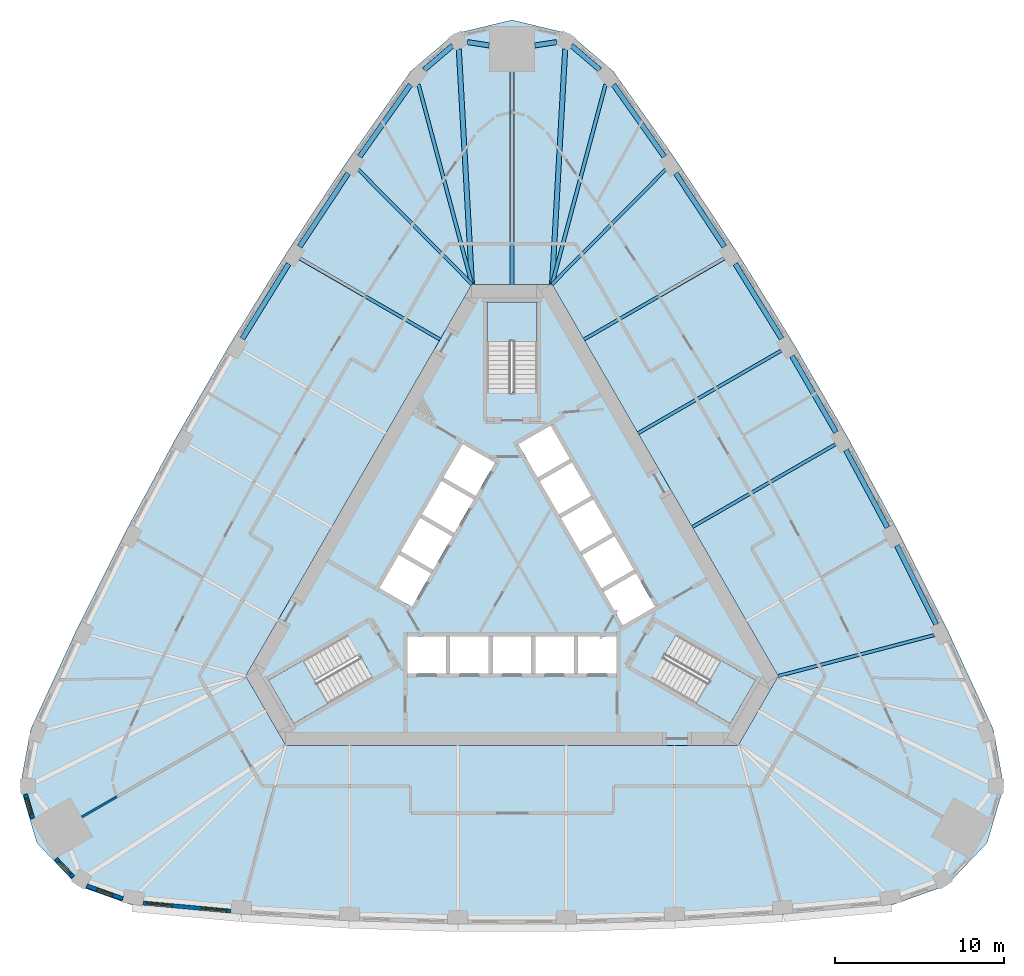
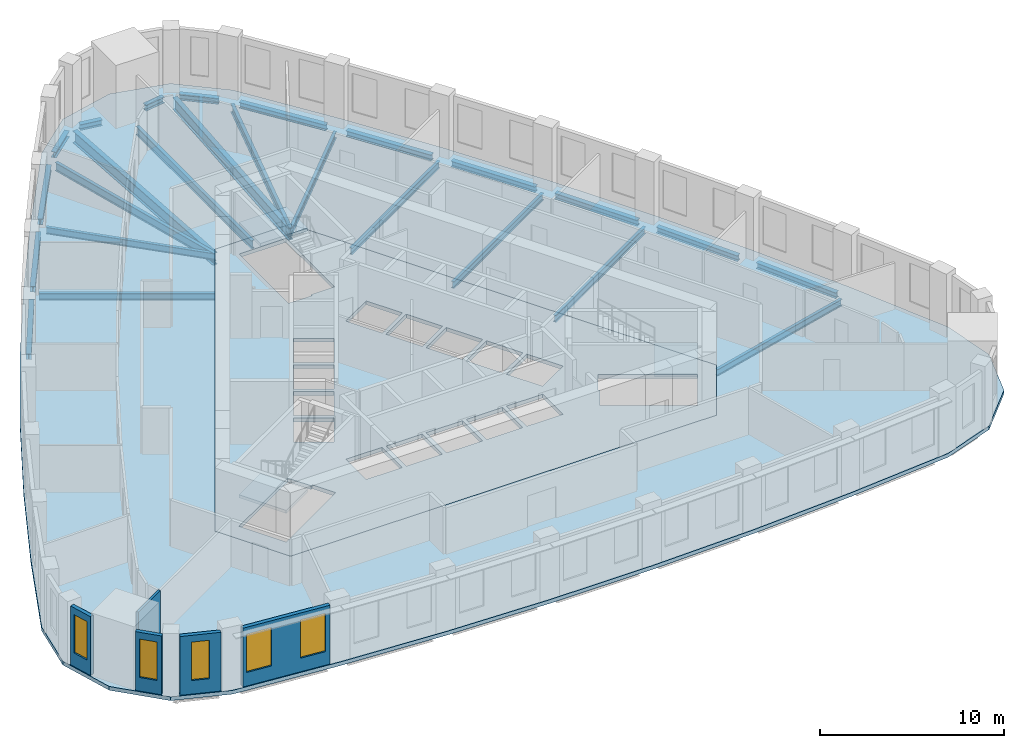
# One storey, part 2 of 10: 25 beams, 5 slabs, 5 walls, 5 windows, 5 openings, 3 elements without a shape of their own.
"""IFC4 building model written with IfcOpenShell, lengths in metres."""

from ifc_helpers import new_model, si_unit, direction, frame, frame_2d, origin, origin_2d, place, context, subcontext, project, spatial, polyline, rectangle, i_section, outline, extrude, material, layer, layer_set, material_profile, profile_set, type_object, element, fill, aggregate, save


model = new_model("IFC4")

# Units and contexts
model_context = context("Model", 3, precision=1e-05, world=origin(), true_north=direction((0.0, 1.0)))
body_context = subcontext(model_context, "Body", "Model", "MODEL_VIEW")
ifc_project = project(units=[si_unit("LENGTHUNIT", "METRE"), si_unit("AREAUNIT", "SQUARE_METRE"), si_unit("VOLUMEUNIT", "CUBIC_METRE"), si_unit("PLANEANGLEUNIT", "RADIAN"), si_unit("MASSUNIT", "GRAM", prefix="KILO")], contexts=[model_context])

# Site, building, storey
site_placement = place(None, origin())
site = spatial("IfcSite", under=ifc_project, at=site_placement, CompositionType="ELEMENT")
building_placement = place(site_placement, origin())
building = spatial("IfcBuilding", under=site, at=building_placement, Name="Mestral Congress Tower", CompositionType="ELEMENT")
storey_placement = place(building_placement, frame((0.0, 0.0, 192.0)))
storey = spatial("IfcBuildingStorey", under=building, at=storey_placement, Name="L45", CompositionType="ELEMENT", Elevation=192.0)

# Beams
ifc_material_1 = material(Name="Steel S355", Category="steel")
ifc_material_profile_1 = material_profile(ifc_material_1, i_section(OverallWidth=0.300048828125, OverallDepth=0.800048828125, WebThickness=0.017578125, FlangeThickness=0.032958984375, FilletRadius=0.030029296875, at=origin_2d()), Name="HEB 800")
ifc_profile_set_1 = profile_set([ifc_material_profile_1], Name="Steel S355")
beam_type_1 = type_object("IfcBeamType", Name="Floor beam HEB 800 S355", PredefinedType="BEAM", material=ifc_profile_set_1)
for number, where, z_axis, x_axis, name in (
    (1, (3.143798828125, 30.703857421875, -0.64990234375), (-0.055769084972, -0.998443693536, 0.0), (0.998443693536, -0.055769084972, 0.0), "BM-L45-RB3-N1"),
    (2, (-3.143798828125, 30.703857421875, -0.64990234375), (0.055769084972, -0.998443693536, 0.0), (0.998443693536, 0.055769084972, 0.0), "BM-L45-RB3-N3"),
):
    element("IfcBeam", number, at=place(storey_placement, frame(where, z_axis=z_axis, x_axis=x_axis)), inside=storey, type_object=beam_type_1, Name=name, PredefinedType="BEAM", context=body_context, shape_type="SweptSolid", body=[
        extrude(i_section(OverallWidth=0.300048828125, OverallDepth=0.800048828125, WebThickness=0.017578125, FlangeThickness=0.032958984375, FilletRadius=0.030029296875, at=origin_2d()), origin(), (0.0, 0.0, 1.0), 13.925537109375),
    ])
ifc_material_profile_2 = material_profile(ifc_material_1, i_section(OverallWidth=0.18994140625, OverallDepth=0.449951171875, WebThickness=0.009521484375, FlangeThickness=0.0146484375, FilletRadius=0.02099609375, at=origin_2d()), Name="IPE 450")
ifc_profile_set_2 = profile_set([ifc_material_profile_2], Name="Steel S355")
beam_type_2 = type_object("IfcBeamType", Name="Floor beam IPE 450 S355", PredefinedType="BEAM", material=ifc_profile_set_2)
beam_1_placement = place(storey_placement, frame((24.938232421875, -3.93505859375, -0.47509765625), z_axis=(-0.967265999603, -0.253764627187, 0.0), x_axis=(0.253764627187, -0.967265999603, 0.0)))
element("IfcBeam", 3, at=beam_1_placement, inside=storey, type_object=beam_type_2, Name="BM-L45-RB3-E01", PredefinedType="BEAM", context=body_context, shape_type="SweptSolid", body=[
    extrude(i_section(OverallWidth=0.18994140625, OverallDepth=0.449951171875, WebThickness=0.009521484375, FlangeThickness=0.0146484375, FilletRadius=0.02099609375, at=origin_2d()), origin(), (0.0, 0.0, 1.0), 9.516845703125),
])
beam_2_placement = place(storey_placement, frame((19.100830078125, 7.332763671875, -0.47509765625), z_axis=(-0.866036015824, -0.499981618958, 0.0), x_axis=(0.499981618958, -0.866036015824, 0.0)))
element("IfcBeam", 4, at=beam_2_placement, inside=storey, type_object=beam_type_2, Name="BM-L45-RB3-E03", PredefinedType="BEAM", context=body_context, shape_type="SweptSolid", body=[
    extrude(i_section(OverallWidth=0.18994140625, OverallDepth=0.449951171875, WebThickness=0.009521484375, FlangeThickness=0.0146484375, FilletRadius=0.02099609375, at=origin_2d()), origin(), (0.0, 0.0, 1.0), 9.758056640625),
])
beam_3_placement = place(storey_placement, frame((15.90087890625, 12.875244140625, -0.47509765625), z_axis=(-0.866025182435, -0.500000383388, 0.0), x_axis=(0.500000383388, -0.866025182435, 0.0)))
element("IfcBeam", 5, at=beam_3_placement, inside=storey, type_object=beam_type_2, Name="BM-L45-RB3-E04", PredefinedType="BEAM", context=body_context, shape_type="SweptSolid", body=[
    extrude(i_section(OverallWidth=0.18994140625, OverallDepth=0.449951171875, WebThickness=0.009521484375, FlangeThickness=0.0146484375, FilletRadius=0.02099609375, at=origin_2d()), origin(), (0.0, 0.0, 1.0), 9.75830078125),
])
beam_4_placement = place(storey_placement, frame((12.532958984375, 18.317138671875, -0.47509765625), z_axis=(-0.866022320763, -0.500005339912, 0.0), x_axis=(0.500005339912, -0.866022320763, 0.0)))
element("IfcBeam", 6, at=beam_4_placement, inside=storey, type_object=beam_type_2, Name="BM-L45-RB3-E05", PredefinedType="BEAM", context=body_context, shape_type="SweptSolid", body=[
    extrude(i_section(OverallWidth=0.18994140625, OverallDepth=0.449951171875, WebThickness=0.009521484375, FlangeThickness=0.0146484375, FilletRadius=0.02099609375, at=origin_2d()), origin(), (0.0, 0.0, 1.0), 9.5625),
])
for number, where, z_axis, x_axis, name in (
    (7, (9.06103515625, 23.564697265625, -0.47509765625), (-0.703377189025, -0.710816804781, 0.0), (0.710816804781, -0.703377189025, 0.0), "BM-L45-RB3-E06"),
    (8, (-9.06103515625, 23.564697265625, -0.47509765625), (0.703377189025, -0.710816804781, 0.0), (0.710816804781, 0.703377189025, 0.0), "BM-L45-RB3-W01"),
):
    element("IfcBeam", number, at=place(storey_placement, frame(where, z_axis=z_axis, x_axis=x_axis)), inside=storey, type_object=beam_type_2, Name=name, PredefinedType="BEAM", context=body_context, shape_type="SweptSolid", body=[
        extrude(i_section(OverallWidth=0.18994140625, OverallDepth=0.449951171875, WebThickness=0.009521484375, FlangeThickness=0.0146484375, FilletRadius=0.02099609375, at=origin_2d()), origin(), (0.0, 0.0, 1.0), 9.516845703125),
    ])
beam_5_placement = place(storey_placement, frame((-12.532958984375, 18.317138671875, -0.47509765625), z_axis=(0.866022320763, -0.500005339912, 0.0), x_axis=(0.500005339912, 0.866022320763, 0.0)))
element("IfcBeam", 9, at=beam_5_placement, inside=storey, type_object=beam_type_2, Name="BM-L45-RB3-W02", PredefinedType="BEAM", context=body_context, shape_type="SweptSolid", body=[
    extrude(i_section(OverallWidth=0.18994140625, OverallDepth=0.449951171875, WebThickness=0.009521484375, FlangeThickness=0.0146484375, FilletRadius=0.02099609375, at=origin_2d()), origin(), (0.0, 0.0, 1.0), 9.5625),
])
ifc_material_profile_3 = material_profile(ifc_material_1, i_section(OverallWidth=0.2099609375, OverallDepth=0.550048828125, WebThickness=0.010986328125, FlangeThickness=0.01708984375, FilletRadius=0.02392578125, at=origin_2d()), Name="IPE 550")
ifc_profile_set_3 = profile_set([ifc_material_profile_3], Name="Steel S355")
beam_type_3 = type_object("IfcBeamType", Name="Floor beam IPE 550 S355", PredefinedType="BEAM", material=ifc_profile_set_3)
beam_6_placement = place(storey_placement, frame((5.5283203125, 28.609375, -0.52490234375), z_axis=(-0.258577363905, -0.965990552167, 0.0), x_axis=(0.965990552167, -0.258577363905, 0.0)))
element("IfcBeam", 10, at=beam_6_placement, inside=storey, type_object=beam_type_3, Name="BM-L45-RB3-E07", PredefinedType="BEAM", context=body_context, shape_type="SweptSolid", body=[
    extrude(i_section(OverallWidth=0.2099609375, OverallDepth=0.550048828125, WebThickness=0.010986328125, FlangeThickness=0.01708984375, FilletRadius=0.02392578125, at=origin_2d()), origin(), (0.0, 0.0, 1.0), 12.22509765625),
])
beam_7_placement = place(storey_placement, frame((0.0, 29.354248046875, -0.52490234375), z_axis=(0.0, -1.0, 0.0), x_axis=(1.0, 0.0, 0.0)))
element("IfcBeam", 11, at=beam_7_placement, inside=storey, type_object=beam_type_3, Name="BM-L45-RB3-N", PredefinedType="BEAM", context=body_context, shape_type="SweptSolid", body=[
    extrude(i_section(OverallWidth=0.2099609375, OverallDepth=0.550048828125, WebThickness=0.010986328125, FlangeThickness=0.01708984375, FilletRadius=0.02392578125, at=origin_2d()), origin(), (0.0, 0.0, 1.0), 12.55419921875),
])
beam_8_placement = place(storey_placement, frame((-5.5283203125, 28.609375, -0.52490234375), z_axis=(0.258577363905, -0.965990552167, 0.0), x_axis=(0.965990552167, 0.258577363905, 0.0)))
element("IfcBeam", 12, at=beam_8_placement, inside=storey, type_object=beam_type_3, Name="BM-L45-RB3-W00", PredefinedType="BEAM", context=body_context, shape_type="SweptSolid", body=[
    extrude(i_section(OverallWidth=0.2099609375, OverallDepth=0.550048828125, WebThickness=0.010986328125, FlangeThickness=0.01708984375, FilletRadius=0.02392578125, at=origin_2d()), origin(), (0.0, 0.0, 1.0), 12.22509765625),
])
ifc_material_profile_4 = material_profile(ifc_material_1, i_section(OverallWidth=0.300048828125, OverallDepth=0.389892578125, WebThickness=0.010986328125, FlangeThickness=0.01904296875, FilletRadius=0.027099609375, at=origin_2d()), Name="HEA 400")
ifc_profile_set_4 = profile_set([ifc_material_profile_4], Name="Steel S355")
beam_type_4 = type_object("IfcBeamType", Name="Spandrel beam HEA 400 S355", PredefinedType="BEAM", material=ifc_profile_set_4)
beam_9_placement = place(storey_placement, frame((25.064453125, -3.294677734375, -0.445068359375), z_axis=(-0.446255467462, 0.894905613884, 0.0), x_axis=(-0.894905613884, -0.446255467462, 0.0)))
element("IfcBeam", 13, at=beam_9_placement, inside=storey, type_object=beam_type_4, Name="SP-L45-SB3-E01", PredefinedType="BEAM", context=body_context, shape_type="SweptSolid", body=[
    extrude(i_section(OverallWidth=0.300048828125, OverallDepth=0.389892578125, WebThickness=0.010986328125, FlangeThickness=0.01904296875, FilletRadius=0.027099609375, at=origin_2d()), origin(), (0.0, 0.0, 1.0), 5.199462890625),
])
for number, where, z_axis, x_axis, name in (
    (14, (22.1923828125, 2.424072265625, -0.445068359375), (-0.473332458078, 0.880883865291, 0.0), (-0.880883865291, -0.473332458078, 0.0), "SP-L45-SB3-E02"),
    (15, (19.147216796875, 8.052490234375, -0.445068359375), (-0.499992051641, 0.866029992723, 0.0), (-0.866029992723, -0.499992051641, 0.0), "SP-L45-SB3-E03"),
):
    element("IfcBeam", number, at=place(storey_placement, frame(where, z_axis=z_axis, x_axis=x_axis)), inside=storey, type_object=beam_type_4, Name=name, PredefinedType="BEAM", context=body_context, shape_type="SweptSolid", body=[
        extrude(i_section(OverallWidth=0.300048828125, OverallDepth=0.389892578125, WebThickness=0.010986328125, FlangeThickness=0.01904296875, FilletRadius=0.027099609375, at=origin_2d()), origin(), (0.0, 0.0, 1.0), 5.19970703125),
    ])
for number, where, z_axis, x_axis, name in (
    (16, (15.931640625, 13.585693359375, -0.445068359375), (-0.526220441006, 0.8503481919, 0.0), (-0.8503481919, -0.526220441006, 0.0), "SP-L45-SB3-E04"),
    (17, (12.548583984375, 19.017822265625, -0.445068359375), (-0.551901475275, 0.833909324561, 0.0), (-0.833909324561, -0.551901475275, 0.0), "SP-L45-SB3-E05"),
):
    element("IfcBeam", number, at=place(storey_placement, frame(where, z_axis=z_axis, x_axis=x_axis)), inside=storey, type_object=beam_type_4, Name=name, PredefinedType="BEAM", context=body_context, shape_type="SweptSolid", body=[
        extrude(i_section(OverallWidth=0.300048828125, OverallDepth=0.389892578125, WebThickness=0.010986328125, FlangeThickness=0.01904296875, FilletRadius=0.027099609375, at=origin_2d()), origin(), (0.0, 0.0, 1.0), 5.199462890625),
    ])
beam_10_placement = place(storey_placement, frame((9.00146484375, 24.34423828125, -0.445068359375), z_axis=(-0.577107284947, 0.816668342512, 0.0), x_axis=(-0.816668342512, -0.577107284947, 0.0)))
element("IfcBeam", 18, at=beam_10_placement, inside=storey, type_object=beam_type_4, Name="SP-L45-SB3-E06", PredefinedType="BEAM", context=body_context, shape_type="SweptSolid", body=[
    extrude(i_section(OverallWidth=0.300048828125, OverallDepth=0.389892578125, WebThickness=0.010986328125, FlangeThickness=0.01904296875, FilletRadius=0.027099609375, at=origin_2d()), origin(), (0.0, 0.0, 1.0), 5.197509765625),
])
beam_11_placement = place(storey_placement, frame((5.191162109375, 29.47509765625, -0.445068359375), z_axis=(-0.761471479234, 0.648198415852, 0.0), x_axis=(-0.648198415852, -0.761471479234, 0.0)))
element("IfcBeam", 19, at=beam_11_placement, inside=storey, type_object=beam_type_4, Name="SP-L45-SB3-E07", PredefinedType="BEAM", context=body_context, shape_type="SweptSolid", body=[
    extrude(i_section(OverallWidth=0.300048828125, OverallDepth=0.389892578125, WebThickness=0.010986328125, FlangeThickness=0.01904296875, FilletRadius=0.027099609375, at=origin_2d()), origin(), (0.0, 0.0, 1.0), 2.189697265625),
])
for number, where, z_axis, x_axis, name in (
    (20, (2.62353515625, 31.10986328125, -0.445068359375), (-0.988242111203, -0.152897121116, 0.0), (0.152897121116, -0.988242111203, 0.0), "SP-L45-SB3-N1"),
    (21, (-1.35009765625, 30.912841796875, -0.445068359375), (-0.988242111203, 0.152897121116, 0.0), (-0.152897121116, -0.988242111203, 0.0), "SP-L45-SB3-N"),
):
    element("IfcBeam", number, at=place(storey_placement, frame(where, z_axis=z_axis, x_axis=x_axis)), inside=storey, type_object=beam_type_4, Name=name, PredefinedType="BEAM", context=body_context, shape_type="SweptSolid", body=[
        extrude(i_section(OverallWidth=0.300048828125, OverallDepth=0.389892578125, WebThickness=0.010986328125, FlangeThickness=0.01904296875, FilletRadius=0.027099609375, at=origin_2d()), origin(), (0.0, 0.0, 1.0), 1.28857421875),
    ])
beam_12_placement = place(storey_placement, frame((-3.523681640625, 30.89453125, -0.445068359375), z_axis=(-0.761471479234, -0.648198415852, 0.0), x_axis=(0.648198415852, -0.761471479234, 0.0)))
element("IfcBeam", 22, at=beam_12_placement, inside=storey, type_object=beam_type_4, Name="SP-L45-SB3-N3", PredefinedType="BEAM", context=body_context, shape_type="SweptSolid", body=[
    extrude(i_section(OverallWidth=0.300048828125, OverallDepth=0.389892578125, WebThickness=0.010986328125, FlangeThickness=0.01904296875, FilletRadius=0.027099609375, at=origin_2d()), origin(), (0.0, 0.0, 1.0), 2.189697265625),
])
beam_13_placement = place(storey_placement, frame((-6.001953125, 28.5888671875, -0.445068359375), z_axis=(-0.577107284947, -0.816668342512, 0.0), x_axis=(0.816668342512, -0.577107284947, 0.0)))
element("IfcBeam", 23, at=beam_13_placement, inside=storey, type_object=beam_type_4, Name="SP-L45-SB3-W00", PredefinedType="BEAM", context=body_context, shape_type="SweptSolid", body=[
    extrude(i_section(OverallWidth=0.300048828125, OverallDepth=0.389892578125, WebThickness=0.010986328125, FlangeThickness=0.01904296875, FilletRadius=0.027099609375, at=origin_2d()), origin(), (0.0, 0.0, 1.0), 5.197509765625),
])
for number, where, z_axis, x_axis, name in (
    (24, (-9.678955078125, 23.353759765625, -0.445068359375), (-0.551901475275, -0.833909324561, 0.0), (0.833909324561, -0.551901475275, 0.0), "SP-L45-SB3-W01"),
    (25, (-13.195556640625, 18.007080078125, -0.445068359375), (-0.526220441006, -0.8503481919, 0.0), (0.8503481919, -0.526220441006, 0.0), "SP-L45-SB3-W02"),
):
    element("IfcBeam", number, at=place(storey_placement, frame(where, z_axis=z_axis, x_axis=x_axis)), inside=storey, type_object=beam_type_4, Name=name, PredefinedType="BEAM", context=body_context, shape_type="SweptSolid", body=[
        extrude(i_section(OverallWidth=0.300048828125, OverallDepth=0.389892578125, WebThickness=0.010986328125, FlangeThickness=0.01904296875, FilletRadius=0.027099609375, at=origin_2d()), origin(), (0.0, 0.0, 1.0), 5.199462890625),
    ])

# Slabs
ifc_material_2 = material(Name="Concrete C35/45", Category="concrete")
ifc_layer_1 = layer(ifc_material_2, 0.25)
ifc_layer_set_1 = layer_set([ifc_layer_1], Name="Concrete C35/45")
slab_type_1 = type_object("IfcSlabType", Name="Composite floor slab 250", PredefinedType="FLOOR", material=ifc_layer_set_1)
placement_1 = place(storey_placement, frame((0.0, 0.0, -0.25)))
element("IfcSlab", 26, at=placement_1, inside=storey, type_object=slab_type_1, Name="SL-L45", PredefinedType="FLOOR", context=body_context, shape_type="SweptSolid", body=[
    extrude(outline(polyline([(-22.455078125, -19.880126953125), (-25.68212890625, -18.731689453125), (-28.073974609375, -16.20849609375), (-29.06298828125, -12.87548828125), (-28.444091796875, -9.506591796875), (-25.73779296875, -3.63720703125), (-22.8759765625, 2.1025390625), (-19.84033203125, 7.751953125), (-16.633544921875, 13.30615234375), (-13.2587890625, 18.760009765625), (-9.71923828125, 24.1083984375), (-5.9892578125, 29.38671875), (-3.381103515625, 31.607177734375), (0.0, 32.4169921875), (3.381103515625, 31.607177734375), (5.9892578125, 29.38671875), (9.71923828125, 24.1083984375), (13.2587890625, 18.760009765625), (16.633544921875, 13.30615234375), (19.84033203125, 7.751953125), (22.8759765625, 2.1025390625), (25.73779296875, -3.63720703125), (28.444091796875, -9.506591796875), (29.06298828125, -12.87548828125), (28.073974609375, -16.20849609375), (25.68212890625, -18.731689453125), (22.455078125, -19.880126953125), (16.018798828125, -20.47119140625), (9.6171875, -20.862548828125), (3.206787109375, -21.05810546875), (-3.206787109375, -21.05810546875), (-9.6171875, -20.862548828125), (-16.018798828125, -20.47119140625), (-22.455078125, -19.880126953125)]), holes=[polyline([(-2.3671875, 16.800048828125), (-15.73291015625, -6.35009765625), (-13.36572265625, -10.449951171875), (13.36572265625, -10.449951171875), (15.73291015625, -6.35009765625), (2.3671875, 16.800048828125), (-2.3671875, 16.800048828125)])]), origin(), (0.0, 0.0, 1.0), 0.25),
])
ifc_material_3 = material(Name="Concrete C60/75", Category="concrete")
ifc_layer_2 = layer(ifc_material_3, 0.25)
ifc_layer_set_2 = layer_set([ifc_layer_2], Name="Concrete C60/75")
slab_type_2 = type_object("IfcSlabType", Name="Core floor slab RC 250", PredefinedType="FLOOR", material=ifc_layer_set_2)
element("IfcSlab", 27, at=placement_1, inside=storey, type_object=slab_type_2, Name="L45 core floor", PredefinedType="FLOOR", context=body_context, shape_type="SweptSolid", body=[
    extrude(outline(polyline([(13.36572265625, -10.449951171875), (-13.36572265625, -10.449951171875), (-15.73291015625, -6.35009765625), (-2.3671875, 16.800048828125), (2.3671875, 16.800048828125), (15.73291015625, -6.35009765625), (13.36572265625, -10.449951171875)]), holes=[polyline([(-9.8046875, -3.95751953125), (-14.37744140625, -6.59765625), (-12.90234375, -9.15234375), (-8.234619140625, -6.45751953125), (-8.971923828125, -5.179931640625), (-9.0673828125, -5.235107421875), (-9.8046875, -3.95751953125)]), polyline([(-3.905029296875, -4.0), (-6.175048828125, -4.0), (-6.175048828125, -6.199951171875), (-3.905029296875, -6.199951171875), (-3.905029296875, -4.0)]), polyline([(-1.385009765625, -4.0), (-3.655029296875, -4.0), (-3.655029296875, -6.199951171875), (-1.385009765625, -6.199951171875), (-1.385009765625, -4.0)]), polyline([(1.135009765625, -4.0), (-1.135009765625, -4.0), (-1.135009765625, -6.199951171875), (1.135009765625, -6.199951171875), (1.135009765625, -4.0)]), polyline([(-5.921630859375, -2.256591796875), (-4.78662109375, -0.29052734375), (-6.69189453125, 0.809326171875), (-7.826904296875, -1.156494140625), (-5.921630859375, -2.256591796875)]), polyline([(-4.66162109375, -0.07421875), (-3.526611328125, 1.8916015625), (-5.431884765625, 2.99169921875), (-6.56689453125, 1.02587890625), (-4.66162109375, -0.07421875)]), polyline([(-3.401611328125, 2.1083984375), (-2.2666015625, 4.07421875), (-4.171875, 5.174072265625), (-5.306884765625, 3.208251953125), (-3.401611328125, 2.1083984375)]), polyline([(-2.1416015625, 4.29052734375), (-1.006591796875, 6.256591796875), (-2.911865234375, 7.3564453125), (-4.046875, 5.390625), (-2.1416015625, 4.29052734375)]), polyline([(1.47509765625, 10.469970703125), (1.47509765625, 15.75), (-1.47509765625, 15.75), (-1.47509765625, 10.360107421875), (0.0, 10.360107421875), (0.0, 10.469970703125), (1.47509765625, 10.469970703125)]), polyline([(8.329833984375, -6.512451171875), (12.90234375, -9.15234375), (14.37744140625, -6.59765625), (9.70947265625, -3.902587890625), (8.971923828125, -5.179931640625), (9.0673828125, -5.235107421875), (8.329833984375, -6.512451171875)]), polyline([(3.655029296875, -4.0), (1.385009765625, -4.0), (1.385009765625, -6.199951171875), (3.655029296875, -6.199951171875), (3.655029296875, -4.0)]), polyline([(6.175048828125, -4.0), (3.905029296875, -4.0), (3.905029296875, -6.199951171875), (6.175048828125, -6.199951171875), (6.175048828125, -4.0)]), polyline([(5.41650390625, -1.3818359375), (6.551513671875, -3.34765625), (8.456787109375, -2.247802734375), (7.322021484375, -0.28173828125), (5.41650390625, -1.3818359375)]), polyline([(4.156494140625, 0.800537109375), (5.29150390625, -1.165283203125), (7.197021484375, -0.065185546875), (6.06201171875, 1.900634765625), (4.156494140625, 0.800537109375)]), polyline([(2.896484375, 2.98291015625), (4.031494140625, 1.01708984375), (5.93701171875, 2.1171875), (4.802001953125, 4.0830078125), (2.896484375, 2.98291015625)]), polyline([(3.5419921875, 6.265380859375), (1.63671875, 5.165283203125), (2.771484375, 3.199462890625), (4.677001953125, 4.29931640625), (3.5419921875, 6.265380859375)]), polyline([(2.281982421875, 8.44775390625), (0.376708984375, 7.34765625), (1.51171875, 5.3818359375), (3.4169921875, 6.481689453125), (2.281982421875, 8.44775390625)])]), origin(), (0.0, 0.0, 1.0), 0.25),
])

# Stair, slab
stair_type = type_object("IfcStairType", Name="Exit stair 1400", PredefinedType="HALF_TURN_STAIR", material=ifc_material_3)
placement_2 = place(storey_placement, origin())
stair_1 = element("IfcStair", 28, at=placement_2, inside=storey, type_object=stair_type, Name="L45 ST1", PredefinedType="HALF_TURN_STAIR")
ifc_layer_3 = layer(ifc_material_3, 0.199951171875)
ifc_layer_set_3 = layer_set([ifc_layer_3], Name="Concrete C60/75")
slab_type_3 = type_object("IfcSlabType", Name="Exit stair landing 200", PredefinedType="LANDING", material=ifc_layer_set_3)
placement_3 = place(storey_placement, frame((0.0, 0.0, 1.89990234375)))
slab_3 = element("IfcSlab", 29, at=placement_3, type_object=slab_type_3, Name="ST1 landing 1", PredefinedType="LANDING", context=body_context, shape_type="SweptSolid", body=[
    extrude(outline(polyline([(10.879638671875, -7.99609375), (12.364501953125, -5.424072265625), (14.39111328125, -6.593994140625), (12.906005859375, -9.166015625), (10.879638671875, -7.99609375)])), origin(), (0.0, 0.0, 1.0), 0.2001953125),
])
aggregate(stair_1, [slab_3])

stair_2 = element("IfcStair", 30, at=placement_2, inside=storey, type_object=stair_type, Name="L45 ST2", PredefinedType="HALF_TURN_STAIR")
slab_4 = element("IfcSlab", 31, at=placement_3, type_object=slab_type_3, Name="ST2 landing 1", PredefinedType="LANDING", context=body_context, shape_type="SweptSolid", body=[
    extrude(outline(polyline([(1.485107421875, 13.419921875), (-1.485107421875, 13.419921875), (-1.485107421875, 15.760009765625), (1.485107421875, 15.760009765625), (1.485107421875, 13.419921875)])), origin(), (0.0, 0.0, 1.0), 0.2001953125),
])
aggregate(stair_2, [slab_4])

stair_3 = element("IfcStair", 32, at=placement_2, inside=storey, type_object=stair_type, Name="L45 ST3", PredefinedType="HALF_TURN_STAIR")
slab_5 = element("IfcSlab", 33, at=placement_3, type_object=slab_type_3, Name="ST3 landing 1", PredefinedType="LANDING", context=body_context, shape_type="SweptSolid", body=[
    extrude(outline(polyline([(-12.364501953125, -5.424072265625), (-10.879638671875, -7.99609375), (-12.906005859375, -9.166015625), (-14.39111328125, -6.593994140625), (-12.364501953125, -5.424072265625)])), origin(), (0.0, 0.0, 1.0), 0.2001953125),
])
aggregate(stair_3, [slab_5])

# Wall, openings, windows
ifc_material_4 = material(Name="Precast concrete C40/50 with limestone facing", Category="masonry")
ifc_layer_4 = layer(ifc_material_4, 0.239990234375)
ifc_layer_set_4 = layer_set([ifc_layer_4], Name="Precast concrete C40/50 with limestone facing")
wall_type_1 = type_object("IfcWallType", Name="Facade stone wall 240", PredefinedType="SOLIDWALL", material=ifc_layer_set_4)
wall_1_placement = place(storey_placement, frame((-21.797119140625, -19.769775390625, 0.0), z_axis=(0.0, 0.0, 1.0), x_axis=(0.995808712151, -0.091460422067, 0.0)))
wall_1 = element("IfcWall", 34, at=wall_1_placement, inside=storey, type_object=wall_type_1, Name="Facade wall F0-00", PredefinedType="SOLIDWALL", context=body_context, shape_type="SweptSolid", body=[
    extrude(rectangle(XDim=5.213134765625, YDim=0.239990234375, at=frame_2d((2.6064453125, 0.0))), origin(), (0.0, 0.0, 1.0), 3.89990234375),
])
opening_1_placement = place(wall_1_placement, frame((0.220947265625, 0.0, 0.89990234375)))
opening_1 = element("IfcOpeningElement", 35, at=opening_1_placement, cuts=wall_1, Name="Opening W4", PredefinedType="OPENING", context=body_context, shape_type="SweptSolid", body=[
    extrude(rectangle(XDim=1.5, YDim=2.550048828125, at=frame_2d((0.75, 1.27490234375))), frame((0.0, 0.1298828125, 0.0), z_axis=(0.0, -1.0, 0.0), x_axis=(1.0, 0.0, 0.0)), (0.0, 0.0, 1.0), 0.260009765625),
])
opening_2_placement = place(wall_1_placement, frame((3.452392578125, 0.0, 0.89990234375)))
opening_2 = element("IfcOpeningElement", 36, at=opening_2_placement, cuts=wall_1, Name="Opening W4", PredefinedType="OPENING", context=body_context, shape_type="SweptSolid", body=[
    extrude(rectangle(XDim=1.5, YDim=2.550048828125, at=frame_2d((0.75, 1.27490234375))), frame((0.0, 0.1298828125, 0.0), z_axis=(0.0, -1.0, 0.0), x_axis=(1.0, 0.0, 0.0)), (0.0, 0.0, 1.0), 0.260009765625),
])
ifc_material_5 = material(Name="Clear low-emissivity double glazing", Category="glass")
window_type_1 = type_object("IfcWindowType", Name="Facade punched window 1500 x 2550 sill 900", PartitioningType="SINGLE_PANEL", PredefinedType="WINDOW", material=ifc_material_5)
window_1_placement = place(opening_1_placement, origin())
window_1 = element("IfcWindow", 37, at=window_1_placement, inside=storey, type_object=window_type_1, Name="Window F0-00a", OverallHeight=2.550048828125, OverallWidth=1.5, PartitioningType="SINGLE_PANEL", PredefinedType="WINDOW", context=body_context, shape_type="SweptSolid", body=[
    extrude(rectangle(XDim=1.5, YDim=2.550048828125, at=frame_2d((0.75, 1.27490234375))), frame((0.0, 0.0400390625, 0.0), z_axis=(0.0, -1.0, 0.0), x_axis=(1.0, 0.0, 0.0)), (0.0, 0.0, 1.0), 0.06005859375),
])
fill(opening_1, window_1)
window_2_placement = place(opening_2_placement, origin())
window_2 = element("IfcWindow", 38, at=window_2_placement, inside=storey, type_object=window_type_1, Name="Window F0-00b", OverallHeight=2.550048828125, OverallWidth=1.5, PartitioningType="SINGLE_PANEL", PredefinedType="WINDOW", context=body_context, shape_type="SweptSolid", body=[
    extrude(rectangle(XDim=1.5, YDim=2.550048828125, at=frame_2d((0.75, 1.27490234375))), frame((0.0, 0.0400390625, 0.0), z_axis=(0.0, -1.0, 0.0), x_axis=(1.0, 0.0, 0.0)), (0.0, 0.0, 1.0), 0.06005859375),
])
fill(opening_2, window_2)

# Wall, opening, window
wall_2_placement = place(storey_placement, frame((-28.747802734375, -13.340087890625, 0.0), z_axis=(0.0, 0.0, 1.0), x_axis=(0.284413721403, -0.958701640281, 0.0)))
wall_2 = element("IfcWall", 39, at=wall_2_placement, inside=storey, type_object=wall_type_1, Name="Facade wall K2-1", PredefinedType="SOLIDWALL", context=body_context, shape_type="SweptSolid", body=[
    extrude(rectangle(XDim=1.481689453125, YDim=0.239990234375, at=frame_2d((0.74072265625, 0.0))), origin(), (0.0, 0.0, 1.0), 3.89990234375),
])
opening_3_placement = place(wall_2_placement, frame((0.24072265625, 0.0, 0.89990234375)))
opening_3 = element("IfcOpeningElement", 40, at=opening_3_placement, cuts=wall_2, Name="Opening W5", PredefinedType="OPENING", context=body_context, shape_type="SweptSolid", body=[
    extrude(rectangle(XDim=1.0, YDim=2.550048828125, at=frame_2d((0.5, 1.27490234375))), frame((0.0, 0.1298828125, 0.0), z_axis=(0.0, -1.0, 0.0), x_axis=(1.0, 0.0, 0.0)), (0.0, 0.0, 1.0), 0.260009765625),
])
window_type_2 = type_object("IfcWindowType", Name="Facade punched window 1000 x 2550 sill 900", PartitioningType="SINGLE_PANEL", PredefinedType="WINDOW", material=ifc_material_5)
window_3_placement = place(opening_3_placement, origin())
window_3 = element("IfcWindow", 41, at=window_3_placement, inside=storey, type_object=window_type_2, Name="Window K2-1", OverallHeight=2.550048828125, OverallWidth=1.0, PartitioningType="SINGLE_PANEL", PredefinedType="WINDOW", context=body_context, shape_type="SweptSolid", body=[
    extrude(rectangle(XDim=1.0, YDim=2.550048828125, at=frame_2d((0.5, 1.27490234375))), frame((0.0, 0.0400390625, 0.0), z_axis=(0.0, -1.0, 0.0), x_axis=(1.0, 0.0, 0.0)), (0.0, 0.0, 1.0), 0.06005859375),
])
fill(opening_3, window_3)

wall_3_placement = place(storey_placement, frame((-26.946044921875, -17.151123046875, 0.0), z_axis=(0.0, 0.0, 1.0), x_axis=(0.687986858937, -0.725723144133, 0.0)))
wall_3 = element("IfcWall", 42, at=wall_3_placement, inside=storey, type_object=wall_type_1, Name="Facade wall K2-2", PredefinedType="SOLIDWALL", context=body_context, shape_type="SweptSolid", body=[
    extrude(rectangle(XDim=1.4814453125, YDim=0.239990234375, at=frame_2d((0.74072265625, 0.0))), origin(), (0.0, 0.0, 1.0), 3.89990234375),
])
opening_4_placement = place(wall_3_placement, frame((0.24072265625, 0.0, 0.89990234375)))
opening_4 = element("IfcOpeningElement", 43, at=opening_4_placement, cuts=wall_3, Name="Opening W5", PredefinedType="OPENING", context=body_context, shape_type="SweptSolid", body=[
    extrude(rectangle(XDim=1.0, YDim=2.550048828125, at=frame_2d((0.5, 1.27490234375))), frame((0.0, 0.1298828125, 0.0), z_axis=(0.0, -1.0, 0.0), x_axis=(1.0, 0.0, 0.0)), (0.0, 0.0, 1.0), 0.260009765625),
])
window_4_placement = place(opening_4_placement, origin())
window_4 = element("IfcWindow", 44, at=window_4_placement, inside=storey, type_object=window_type_2, Name="Window K2-2", OverallHeight=2.550048828125, OverallWidth=1.0, PartitioningType="SINGLE_PANEL", PredefinedType="WINDOW", context=body_context, shape_type="SweptSolid", body=[
    extrude(rectangle(XDim=1.0, YDim=2.550048828125, at=frame_2d((0.5, 1.27490234375))), frame((0.0, 0.0400390625, 0.0), z_axis=(0.0, -1.0, 0.0), x_axis=(1.0, 0.0, 0.0)), (0.0, 0.0, 1.0), 0.06005859375),
])
fill(opening_4, window_4)

wall_4_placement = place(storey_placement, frame((-25.12109375, -18.750732421875, 0.0), z_axis=(0.0, 0.0, 1.0), x_axis=(0.942099727267, -0.335332825539, 0.0)))
wall_4 = element("IfcWall", 45, at=wall_4_placement, inside=storey, type_object=wall_type_1, Name="Facade wall K2-3", PredefinedType="SOLIDWALL", context=body_context, shape_type="SweptSolid", body=[
    extrude(rectangle(XDim=2.25048828125, YDim=0.239990234375, at=frame_2d((1.125244140625, 0.0))), origin(), (0.0, 0.0, 1.0), 3.89990234375),
])
opening_5_placement = place(wall_4_placement, frame((0.625244140625, 0.0, 0.89990234375)))
opening_5 = element("IfcOpeningElement", 46, at=opening_5_placement, cuts=wall_4, Name="Opening W5", PredefinedType="OPENING", context=body_context, shape_type="SweptSolid", body=[
    extrude(rectangle(XDim=1.0, YDim=2.550048828125, at=frame_2d((0.5, 1.27490234375))), frame((0.0, 0.1298828125, 0.0), z_axis=(0.0, -1.0, 0.0), x_axis=(1.0, 0.0, 0.0)), (0.0, 0.0, 1.0), 0.260009765625),
])
window_5_placement = place(opening_5_placement, origin())
window_5 = element("IfcWindow", 47, at=window_5_placement, inside=storey, type_object=window_type_2, Name="Window K2-3", OverallHeight=2.550048828125, OverallWidth=1.0, PartitioningType="SINGLE_PANEL", PredefinedType="WINDOW", context=body_context, shape_type="SweptSolid", body=[
    extrude(rectangle(XDim=1.0, YDim=2.550048828125, at=frame_2d((0.5, 1.27490234375))), frame((0.0, 0.0400390625, 0.0), z_axis=(0.0, -1.0, 0.0), x_axis=(1.0, 0.0, 0.0)), (0.0, 0.0, 1.0), 0.06005859375),
])
fill(opening_5, window_5)

# Wall
ifc_material_6 = material(Name="Plasterboard partition on steel studs", Category="steel")
ifc_layer_5 = layer(ifc_material_6, 0.14990234375)
ifc_layer_set_5 = layer_set([ifc_layer_5], Name="Plasterboard partition on steel studs")
wall_type_2 = type_object("IfcWallType", Name="Office partition 150", PredefinedType="PARTITIONING", material=ifc_layer_set_5)
wall_5_placement = place(storey_placement, frame((-25.42138671875, -14.677001953125, 0.0), z_axis=(0.0, 0.0, 1.0), x_axis=(0.866013104554, 0.500021302286, 0.0)))
element("IfcWall", 48, at=wall_5_placement, inside=storey, type_object=wall_type_2, Name="Partition", PredefinedType="PARTITIONING", context=body_context, shape_type="SweptSolid", body=[
    extrude(rectangle(XDim=2.380859375, YDim=0.14990234375, at=frame_2d((1.1904296875, 0.0))), origin(), (0.0, 0.0, 1.0), 3.10009765625),
])

save(model, "model.ifc")
